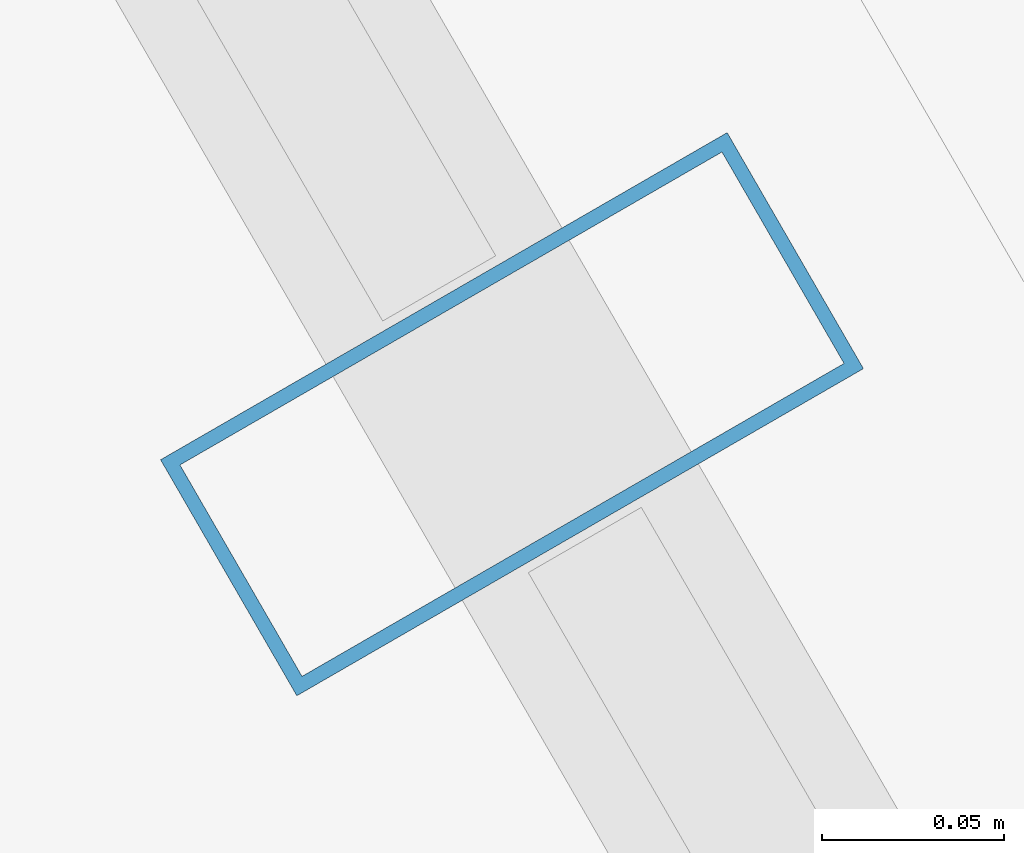
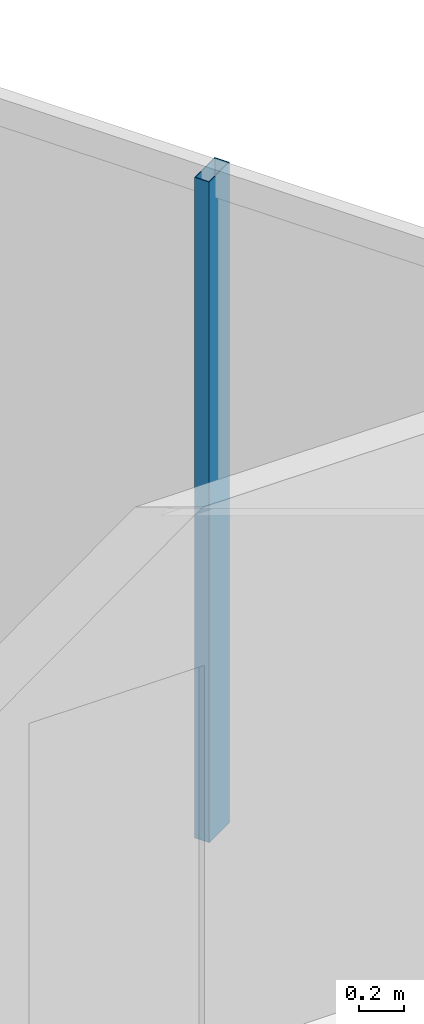
# One storey, part 15 of 29: 1 member, 1 element without a shape of its own.
"""IFC4 building model written with IfcOpenShell, lengths in metres."""

from ifc_helpers import new_model, si_unit, direction, frame, origin, origin_2d, place, context, subcontext, project, spatial, hollow_rectangle, extrude, material, layer, layer_set, material_profile, profile_set, type_object, element, aggregate, save


model = new_model("IFC4")

# Units and contexts
model_context = context("Model", 3, precision=1e-05, world=origin(), true_north=direction((0.0, 1.0)))
body_context = subcontext(model_context, "Body", "Model", "MODEL_VIEW")
ifc_project = project(units=[si_unit("LENGTHUNIT", "METRE"), si_unit("AREAUNIT", "SQUARE_METRE"), si_unit("VOLUMEUNIT", "CUBIC_METRE"), si_unit("PLANEANGLEUNIT", "RADIAN"), si_unit("MASSUNIT", "GRAM", prefix="KILO")], contexts=[model_context])

# Site, building, storey
site_placement = place(None, origin())
site = spatial("IfcSite", under=ifc_project, at=site_placement, CompositionType="ELEMENT")
building_placement = place(site_placement, origin())
building = spatial("IfcBuilding", under=site, at=building_placement, Name="Ndaravel Arena Tower", CompositionType="ELEMENT")
storey_placement = place(building_placement, frame((0.0, 0.0, 240.800048828125)))
storey = spatial("IfcBuildingStorey", under=building, at=storey_placement, Name="L58", CompositionType="ELEMENT", Elevation=240.800048828125)

# Curtain wall, member
ifc_material_1 = material(Name="Aluminium", Category="aluminium")
ifc_layer = layer(ifc_material_1, 0.179931640625)
ifc_layer_set = layer_set([ifc_layer], Name="Aluminium")
curtain_wall_type = type_object("IfcCurtainWallType", Name="CW-SYS-03", PredefinedType="NOTDEFINED", material=ifc_layer_set)
curtain_wall_placement = place(storey_placement, origin())
curtain_wall = element("IfcCurtainWall", 1, at=curtain_wall_placement, inside=storey, type_object=curtain_wall_type, Name="L58 Faceted Crystal Curtain Wall CW-L58-E03", PredefinedType="NOTDEFINED")
ifc_material_2 = material(Name="Aluminium", Category="aluminium")
ifc_material_profile = material_profile(ifc_material_2, hollow_rectangle(XDim=0.074951171875, YDim=0.179931640625, WallThickness=0.00390625, at=origin_2d()), Name="CW MULLION 75x180x4")
ifc_profile_set = profile_set([ifc_material_profile], Name="Aluminium")
member_type = type_object("IfcMemberType", Name="MEM-CW-MUL180", PredefinedType="MULLION", material=ifc_profile_set)
member_placement = place(storey_placement, frame((60.61962890625, 18.46142578125, 0.0), z_axis=(0.0, 0.0, 1.0), x_axis=(-0.5, 0.866025403784, 0.0)))
member = element("IfcMember", 2, at=member_placement, type_object=member_type, Name="CW-L58-E03 Mullion 02", PredefinedType="MULLION", context=body_context, shape_type="SweptSolid", body=[
    extrude(hollow_rectangle(XDim=0.074951171875, YDim=0.179931640625, WallThickness=0.00390625, at=origin_2d()), origin(), (0.0, 0.0, 1.0), 3.579833984375),
])
aggregate(curtain_wall, [member])

save(model, "model.ifc")
